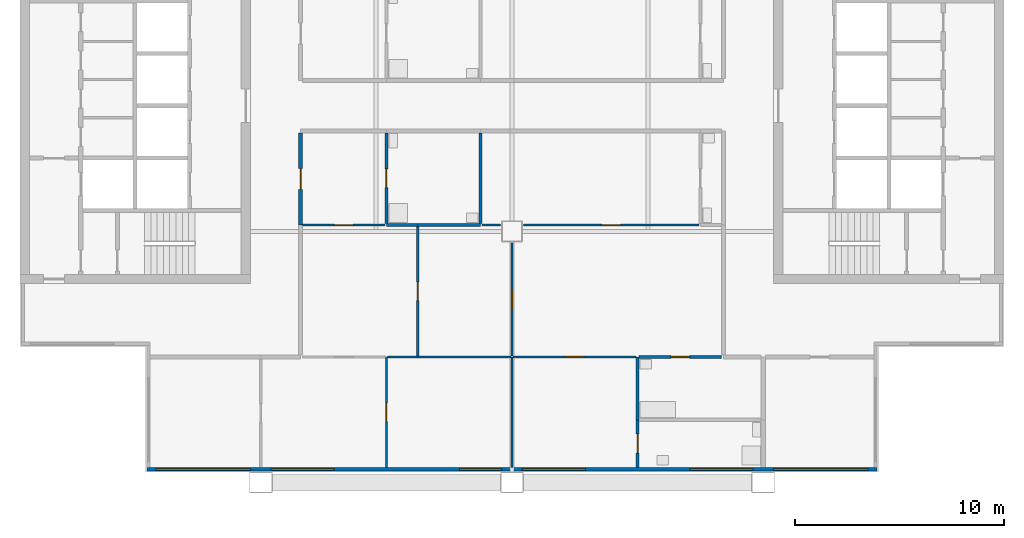
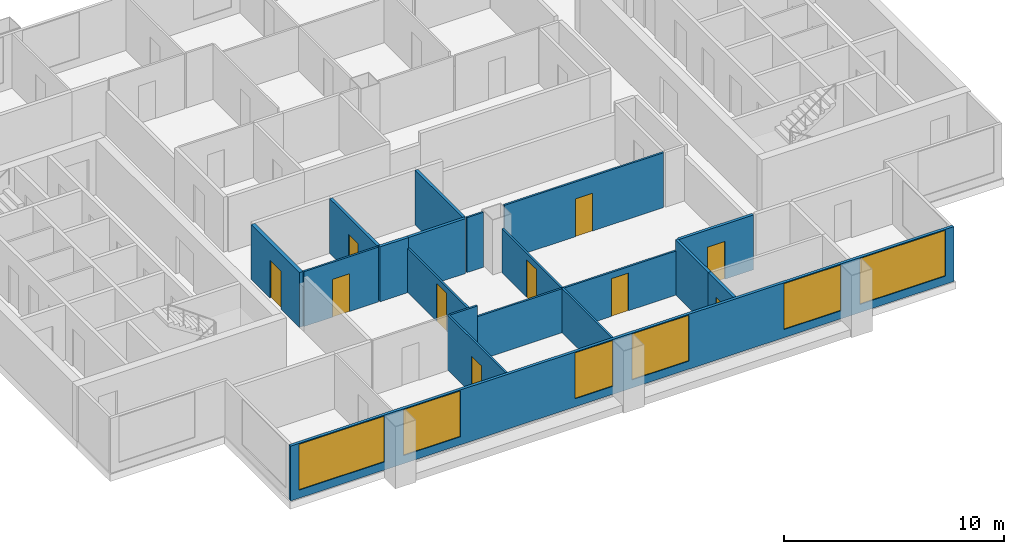
# One storey, part 2 of 8: 19 walls, 10 doors, 6 windows, 16 openings.
"""IFC4 building model written with IfcOpenShell, lengths in metres."""

from ifc_helpers import new_model, si_unit, direction, frame, frame_2d, origin, place, context, subcontext, project, spatial, rectangle, extrude, material, layer, layer_set, type_object, element, fill, save


model = new_model("IFC4")

# Units and contexts
model_context = context("Model", 3, precision=1e-05, world=origin(), true_north=direction((0.0, 1.0)))
body_context = subcontext(model_context, "Body", "Model", "MODEL_VIEW")
ifc_project = project(units=[si_unit("LENGTHUNIT", "METRE"), si_unit("AREAUNIT", "SQUARE_METRE"), si_unit("VOLUMEUNIT", "CUBIC_METRE"), si_unit("PLANEANGLEUNIT", "RADIAN"), si_unit("MASSUNIT", "GRAM", prefix="KILO")], contexts=[model_context])

# Site, building, storey
site_placement = place(None, origin())
site = spatial("IfcSite", under=ifc_project, at=site_placement, CompositionType="ELEMENT")
building_placement = place(site_placement, origin())
building = spatial("IfcBuilding", under=site, at=building_placement, Name="Kitamizu Gate Tower and Museum", CompositionType="ELEMENT")
storey_placement = place(building_placement, frame((0.0, 0.0, 228.300048828125)))
storey = spatial("IfcBuildingStorey", under=building, at=storey_placement, Name="L61", CompositionType="ELEMENT", Elevation=228.300048828125)

# Wall, opening, door
ifc_material_1 = material(Name="Gypsum board on galvanised stud")
ifc_layer_1 = layer(ifc_material_1, 0.10009765625)
ifc_layer_set_1 = layer_set([ifc_layer_1], Name="Gypsum board on galvanised stud")
wall_type_1 = type_object("IfcWallType", Name="Partition 100 NOT RATED", PredefinedType="PARTITIONING", material=ifc_layer_set_1)
wall_1_placement = place(storey_placement, frame((30.0, 12.719970703125, 0.0), z_axis=(0.0, 0.0, 1.0), x_axis=(0.0, 1.0, 0.0)))
wall_1 = element("IfcWall", 1, at=wall_1_placement, inside=storey, type_object=wall_type_1, Name="Partition L61-003", PredefinedType="PARTITIONING", context=body_context, shape_type="SweptSolid", body=[
    extrude(rectangle(XDim=5.280029296875, YDim=0.10009765625, at=frame_2d((2.64013671875, 0.0))), origin(), (0.0, 0.0, 1.0), 3.050048828125),
])
opening_1_placement = place(wall_1_placement, frame((2.18994140625, 0.0, 0.0)))
opening_1 = element("IfcOpeningElement", 2, at=opening_1_placement, cuts=wall_1, Name="Opening L61-007", PredefinedType="OPENING", context=body_context, shape_type="SweptSolid", body=[
    extrude(rectangle(XDim=0.89990234375, YDim=2.10009765625, at=frame_2d((0.449951171875, 1.050048828125))), frame((0.0, 0.06005859375, 0.0), z_axis=(0.0, -1.0, 0.0), x_axis=(1.0, 0.0, 0.0)), (0.0, 0.0, 1.0), 0.1201171875),
])
ifc_material_2 = material(Name="Timber door set", Category="wood")
door_type_1 = type_object("IfcDoorType", Name="Room door 900", OperationType="NOTDEFINED", PredefinedType="DOOR", material=ifc_material_2)
door_1_placement = place(opening_1_placement, origin())
door_1 = element("IfcDoor", 3, at=door_1_placement, inside=storey, type_object=door_type_1, Name="Door L61-007", OperationType="SINGLE_SWING_RIGHT", OverallHeight=2.10009765625, OverallWidth=0.89990234375, PredefinedType="DOOR", context=body_context, shape_type="SweptSolid", body=[
    extrude(rectangle(XDim=0.89990234375, YDim=2.10009765625, at=frame_2d((0.449951171875, 1.050048828125))), frame((0.0, 0.02490234375, 0.0), z_axis=(0.0, -1.0, 0.0), x_axis=(1.0, 0.0, 0.0)), (0.0, 0.0, 1.0), 0.050048828125),
])
fill(opening_1, door_1)

# Walls
wall_2_placement = place(storey_placement, frame((36.0, 12.719970703125, 0.0), z_axis=(0.0, 0.0, 1.0), x_axis=(0.0, 1.0, 0.0)))
element("IfcWall", 4, at=wall_2_placement, inside=storey, type_object=wall_type_1, Name="Partition L61-006", PredefinedType="PARTITIONING", context=body_context, shape_type="SweptSolid", body=[
    extrude(rectangle(XDim=5.280029296875, YDim=0.10009765625, at=frame_2d((2.64013671875, 0.0))), origin(), (0.0, 0.0, 1.0), 2.449951171875),
])
wall_3_placement = place(storey_placement, frame((31.5, 18.0, 0.0), z_axis=(0.0, 0.0, 1.0), x_axis=(-1.0, 0.0, 0.0)))
element("IfcWall", 5, at=wall_3_placement, inside=storey, type_object=wall_type_1, Name="Partition L61-007", PredefinedType="PARTITIONING", context=body_context, shape_type="SweptSolid", body=[
    extrude(rectangle(XDim=1.449951171875, YDim=0.10009765625, at=frame_2d((0.72509765625, 0.0))), origin(), (0.0, 0.0, 1.0), 3.050048828125),
])
wall_4_placement = place(storey_placement, frame((35.949951171875, 18.0, 0.0), z_axis=(0.0, 0.0, 1.0), x_axis=(-1.0, 0.0, 0.0)))
element("IfcWall", 6, at=wall_4_placement, inside=storey, type_object=wall_type_1, Name="Partition L61-008", PredefinedType="PARTITIONING", context=body_context, shape_type="SweptSolid", body=[
    extrude(rectangle(XDim=4.449951171875, YDim=0.10009765625, at=frame_2d((2.22509765625, 0.0))), origin(), (0.0, 0.0, 1.0), 2.449951171875),
])

# Wall, opening, door
wall_5_placement = place(storey_placement, frame((41.925048828125, 18.0, 0.0), z_axis=(0.0, 0.0, 1.0), x_axis=(-1.0, 0.0, 0.0)))
wall_5 = element("IfcWall", 7, at=wall_5_placement, inside=storey, type_object=wall_type_1, Name="Partition L61-011", PredefinedType="PARTITIONING", context=body_context, shape_type="SweptSolid", body=[
    extrude(rectangle(XDim=5.875, YDim=0.10009765625, at=frame_2d((2.9375, 0.0))), origin(), (0.0, 0.0, 1.0), 2.449951171875),
])
opening_2_placement = place(wall_5_placement, frame((2.487548828125, 0.0, 0.0)))
opening_2 = element("IfcOpeningElement", 8, at=opening_2_placement, cuts=wall_5, Name="Opening L61-009", PredefinedType="OPENING", context=body_context, shape_type="SweptSolid", body=[
    extrude(rectangle(XDim=0.89990234375, YDim=2.10009765625, at=frame_2d((0.449951171875, 1.050048828125))), frame((0.0, 0.06005859375, 0.0), z_axis=(0.0, -1.0, 0.0), x_axis=(1.0, 0.0, 0.0)), (0.0, 0.0, 1.0), 0.1201171875),
])
door_2_placement = place(opening_2_placement, origin())
door_2 = element("IfcDoor", 9, at=door_2_placement, inside=storey, type_object=door_type_1, Name="Door L61-009", OperationType="SINGLE_SWING_RIGHT", OverallHeight=2.10009765625, OverallWidth=0.89990234375, PredefinedType="DOOR", context=body_context, shape_type="SweptSolid", body=[
    extrude(rectangle(XDim=0.89990234375, YDim=2.10009765625, at=frame_2d((0.449951171875, 1.050048828125))), frame((0.0, 0.02490234375, 0.0), z_axis=(0.0, -1.0, 0.0), x_axis=(1.0, 0.0, 0.0)), (0.0, 0.0, 1.0), 0.050048828125),
])
fill(opening_2, door_2)

wall_6_placement = place(storey_placement, frame((31.5, 18.050048828125, 0.0), z_axis=(0.0, 0.0, 1.0), x_axis=(0.0, 1.0, 0.0)))
wall_6 = element("IfcWall", 10, at=wall_6_placement, inside=storey, type_object=wall_type_1, Name="Partition L61-017", PredefinedType="PARTITIONING", context=body_context, shape_type="SweptSolid", body=[
    extrude(rectangle(XDim=6.175048828125, YDim=0.10009765625, at=frame_2d((3.08740234375, 0.0))), origin(), (0.0, 0.0, 1.0), 2.449951171875),
])
opening_3_placement = place(wall_6_placement, frame((2.637451171875, 0.0, 0.0)))
opening_3 = element("IfcOpeningElement", 11, at=opening_3_placement, cuts=wall_6, Name="Opening L61-004", PredefinedType="OPENING", context=body_context, shape_type="SweptSolid", body=[
    extrude(rectangle(XDim=0.89990234375, YDim=2.10009765625, at=frame_2d((0.449951171875, 1.050048828125))), frame((0.0, 0.06005859375, 0.0), z_axis=(0.0, -1.0, 0.0), x_axis=(1.0, 0.0, 0.0)), (0.0, 0.0, 1.0), 0.1201171875),
])
door_3_placement = place(opening_3_placement, frame((0.89990234375, 0.0, 0.0), x_axis=(-1.0, 0.0, 0.0)))
door_3 = element("IfcDoor", 12, at=door_3_placement, inside=storey, type_object=door_type_1, Name="Door L61-004", OperationType="SINGLE_SWING_RIGHT", OverallHeight=2.10009765625, OverallWidth=0.89990234375, PredefinedType="DOOR", context=body_context, shape_type="SweptSolid", body=[
    extrude(rectangle(XDim=0.89990234375, YDim=2.10009765625, at=frame_2d((0.449951171875, 1.050048828125))), frame((0.0, 0.02490234375, 0.0), z_axis=(0.0, -1.0, 0.0), x_axis=(1.0, 0.0, 0.0)), (0.0, 0.0, 1.0), 0.050048828125),
])
fill(opening_3, door_3)

wall_7_placement = place(storey_placement, frame((29.925048828125, 24.300048828125, 0.0), z_axis=(0.0, 0.0, 1.0), x_axis=(-1.0, 0.0, 0.0)))
wall_7 = element("IfcWall", 13, at=wall_7_placement, inside=storey, type_object=wall_type_1, Name="Partition L61-018", PredefinedType="PARTITIONING", context=body_context, shape_type="SweptSolid", body=[
    extrude(rectangle(XDim=3.925048828125, YDim=0.10009765625, at=frame_2d((1.96240234375, 0.0))), origin(), (0.0, 0.0, 1.0), 3.050048828125),
])
opening_4_placement = place(wall_7_placement, frame((1.512451171875, 0.0, 0.0)))
opening_4 = element("IfcOpeningElement", 14, at=opening_4_placement, cuts=wall_7, Name="Opening L61-002", PredefinedType="OPENING", context=body_context, shape_type="SweptSolid", body=[
    extrude(rectangle(XDim=0.89990234375, YDim=2.10009765625, at=frame_2d((0.449951171875, 1.050048828125))), frame((0.0, 0.06005859375, 0.0), z_axis=(0.0, -1.0, 0.0), x_axis=(1.0, 0.0, 0.0)), (0.0, 0.0, 1.0), 0.1201171875),
])
door_4_placement = place(opening_4_placement, origin())
door_4 = element("IfcDoor", 15, at=door_4_placement, inside=storey, type_object=door_type_1, Name="Door L61-002", OperationType="SINGLE_SWING_LEFT", OverallHeight=2.10009765625, OverallWidth=0.89990234375, PredefinedType="DOOR", context=body_context, shape_type="SweptSolid", body=[
    extrude(rectangle(XDim=0.89990234375, YDim=2.10009765625, at=frame_2d((0.449951171875, 1.050048828125))), frame((0.0, 0.02490234375, 0.0), z_axis=(0.0, -1.0, 0.0), x_axis=(1.0, 0.0, 0.0)), (0.0, 0.0, 1.0), 0.050048828125),
])
fill(opening_4, door_4)

wall_8_placement = place(storey_placement, frame((36.0, 18.050048828125, 0.0), z_axis=(0.0, 0.0, 1.0), x_axis=(0.0, 1.0, 0.0)))
wall_8 = element("IfcWall", 16, at=wall_8_placement, inside=storey, type_object=wall_type_1, Name="Partition L61-022", PredefinedType="PARTITIONING", context=body_context, shape_type="SweptSolid", body=[
    extrude(rectangle(XDim=5.39990234375, YDim=0.10009765625, at=frame_2d((2.699951171875, 0.0))), origin(), (0.0, 0.0, 1.0), 2.449951171875),
])
opening_5_placement = place(wall_8_placement, frame((2.25, 0.0, 0.0)))
opening_5 = element("IfcOpeningElement", 17, at=opening_5_placement, cuts=wall_8, Name="Opening L61-008", PredefinedType="OPENING", context=body_context, shape_type="SweptSolid", body=[
    extrude(rectangle(XDim=0.89990234375, YDim=2.10009765625, at=frame_2d((0.449951171875, 1.050048828125))), frame((0.0, 0.06005859375, 0.0), z_axis=(0.0, -1.0, 0.0), x_axis=(1.0, 0.0, 0.0)), (0.0, 0.0, 1.0), 0.1201171875),
])
door_5_placement = place(opening_5_placement, origin())
door_5 = element("IfcDoor", 18, at=door_5_placement, inside=storey, type_object=door_type_1, Name="Door L61-008", OperationType="SINGLE_SWING_LEFT", OverallHeight=2.10009765625, OverallWidth=0.89990234375, PredefinedType="DOOR", context=body_context, shape_type="SweptSolid", body=[
    extrude(rectangle(XDim=0.89990234375, YDim=2.10009765625, at=frame_2d((0.449951171875, 1.050048828125))), frame((0.0, 0.02490234375, 0.0), z_axis=(0.0, -1.0, 0.0), x_axis=(1.0, 0.0, 0.0)), (0.0, 0.0, 1.0), 0.050048828125),
])
fill(opening_5, door_5)

# Wall
wall_9_placement = place(storey_placement, frame((35.449951171875, 24.300048828125, 0.0), z_axis=(0.0, 0.0, 1.0), x_axis=(-1.0, 0.0, 0.0)))
element("IfcWall", 19, at=wall_9_placement, inside=storey, type_object=wall_type_1, Name="Partition L61-024", PredefinedType="PARTITIONING", context=body_context, shape_type="SweptSolid", body=[
    extrude(rectangle(XDim=0.875, YDim=0.10009765625, at=frame_2d((0.4375, 0.0))), origin(), (0.0, 0.0, 1.0), 3.050048828125),
])

# Wall, opening, door
wall_10_placement = place(storey_placement, frame((44.925048828125, 24.300048828125, 0.0), z_axis=(0.0, 0.0, 1.0), x_axis=(-1.0, 0.0, 0.0)))
wall_10 = element("IfcWall", 20, at=wall_10_placement, inside=storey, type_object=wall_type_1, Name="Partition L61-025", PredefinedType="PARTITIONING", context=body_context, shape_type="SweptSolid", body=[
    extrude(rectangle(XDim=8.375, YDim=0.10009765625, at=frame_2d((4.1875, 0.0))), origin(), (0.0, 0.0, 1.0), 3.050048828125),
])
opening_6_placement = place(wall_10_placement, frame((3.737548828125, 0.0, 0.0)))
opening_6 = element("IfcOpeningElement", 21, at=opening_6_placement, cuts=wall_10, Name="Opening L61-012", PredefinedType="OPENING", context=body_context, shape_type="SweptSolid", body=[
    extrude(rectangle(XDim=0.89990234375, YDim=2.10009765625, at=frame_2d((0.449951171875, 1.050048828125))), frame((0.0, 0.06005859375, 0.0), z_axis=(0.0, -1.0, 0.0), x_axis=(1.0, 0.0, 0.0)), (0.0, 0.0, 1.0), 0.1201171875),
])
door_6_placement = place(opening_6_placement, frame((0.89990234375, 0.0, 0.0), x_axis=(-1.0, 0.0, 0.0)))
door_6 = element("IfcDoor", 22, at=door_6_placement, inside=storey, type_object=door_type_1, Name="Door L61-012", OperationType="SINGLE_SWING_RIGHT", OverallHeight=2.10009765625, OverallWidth=0.89990234375, PredefinedType="DOOR", context=body_context, shape_type="SweptSolid", body=[
    extrude(rectangle(XDim=0.89990234375, YDim=2.10009765625, at=frame_2d((0.449951171875, 1.050048828125))), frame((0.0, 0.02490234375, 0.0), z_axis=(0.0, -1.0, 0.0), x_axis=(1.0, 0.0, 0.0)), (0.0, 0.0, 1.0), 0.050048828125),
])
fill(opening_6, door_6)

ifc_material_3 = material(Name="Gypsum board on galvanised stud")
ifc_layer_2 = layer(ifc_material_3, 0.14990234375)
ifc_layer_set_2 = layer_set([ifc_layer_2], Name="Gypsum board on galvanised stud")
wall_type_2 = type_object("IfcWallType", Name="Partition 150", PredefinedType="PARTITIONING", material=ifc_layer_set_2)
wall_11_placement = place(storey_placement, frame((42.0, 12.719970703125, 0.0), z_axis=(0.0, 0.0, 1.0), x_axis=(0.0, 1.0, 0.0)))
wall_11 = element("IfcWall", 23, at=wall_11_placement, inside=storey, type_object=wall_type_2, Name="Partition L61-009", PredefinedType="PARTITIONING", context=body_context, shape_type="SweptSolid", body=[
    extrude(rectangle(XDim=2.280029296875, YDim=0.14990234375, at=frame_2d((1.14013671875, 0.0))), origin(), (0.0, 0.0, 1.0), 3.050048828125),
])
opening_7_placement = place(wall_11_placement, frame((0.68994140625, 0.0, 0.0)))
opening_7 = element("IfcOpeningElement", 24, at=opening_7_placement, cuts=wall_11, Name="Opening L61-010", PredefinedType="OPENING", context=body_context, shape_type="SweptSolid", body=[
    extrude(rectangle(XDim=0.89990234375, YDim=2.10009765625, at=frame_2d((0.449951171875, 1.050048828125))), frame((0.0, 0.0849609375, 0.0), z_axis=(0.0, -1.0, 0.0), x_axis=(1.0, 0.0, 0.0)), (0.0, 0.0, 1.0), 0.169921875),
])
ifc_material_4 = material(Name="Timber door set", Category="wood")
door_type_2 = type_object("IfcDoorType", Name="Bathroom door 900", OperationType="NOTDEFINED", PredefinedType="DOOR", material=ifc_material_4)
door_7_placement = place(opening_7_placement, frame((0.89990234375, 0.0, 0.0), x_axis=(-1.0, 0.0, 0.0)))
door_7 = element("IfcDoor", 25, at=door_7_placement, inside=storey, type_object=door_type_2, Name="Bathroom door L61-010", OperationType="SINGLE_SWING_RIGHT", OverallHeight=2.10009765625, OverallWidth=0.89990234375, PredefinedType="DOOR", context=body_context, shape_type="SweptSolid", body=[
    extrude(rectangle(XDim=0.89990234375, YDim=2.10009765625, at=frame_2d((0.449951171875, 1.050048828125))), frame((0.0, 0.02490234375, 0.0), z_axis=(0.0, -1.0, 0.0), x_axis=(1.0, 0.0, 0.0)), (0.0, 0.0, 1.0), 0.050048828125),
])
fill(opening_7, door_7)

# Wall
wall_12_placement = place(storey_placement, frame((42.0, 15.0, 0.0), z_axis=(0.0, 0.0, 1.0), x_axis=(0.0, 1.0, 0.0)))
element("IfcWall", 26, at=wall_12_placement, inside=storey, type_object=wall_type_2, Name="Partition L61-010", PredefinedType="PARTITIONING", context=body_context, shape_type="SweptSolid", body=[
    extrude(rectangle(XDim=3.0, YDim=0.14990234375, at=frame_2d((1.5, 0.0))), origin(), (0.0, 0.0, 1.0), 3.050048828125),
])

# Wall, opening, door
wall_13_placement = place(storey_placement, frame((46.0, 18.0, 0.0), z_axis=(0.0, 0.0, 1.0), x_axis=(-1.0, 0.0, 0.0)))
wall_13 = element("IfcWall", 27, at=wall_13_placement, inside=storey, type_object=wall_type_2, Name="Partition L61-014", PredefinedType="PARTITIONING", context=body_context, shape_type="SweptSolid", body=[
    extrude(rectangle(XDim=3.925048828125, YDim=0.14990234375, at=frame_2d((1.96240234375, 0.0))), origin(), (0.0, 0.0, 1.0), 3.050048828125),
])
opening_8_placement = place(wall_13_placement, frame((1.512451171875, 0.0, 0.0)))
opening_8 = element("IfcOpeningElement", 28, at=opening_8_placement, cuts=wall_13, Name="Opening L61-011", PredefinedType="OPENING", context=body_context, shape_type="SweptSolid", body=[
    extrude(rectangle(XDim=0.89990234375, YDim=2.10009765625, at=frame_2d((0.449951171875, 1.050048828125))), frame((0.0, 0.0849609375, 0.0), z_axis=(0.0, -1.0, 0.0), x_axis=(1.0, 0.0, 0.0)), (0.0, 0.0, 1.0), 0.169921875),
])
door_8_placement = place(opening_8_placement, origin())
door_8 = element("IfcDoor", 29, at=door_8_placement, inside=storey, type_object=door_type_2, Name="Bathroom door L61-011", OperationType="SINGLE_SWING_RIGHT", OverallHeight=2.10009765625, OverallWidth=0.89990234375, PredefinedType="DOOR", context=body_context, shape_type="SweptSolid", body=[
    extrude(rectangle(XDim=0.89990234375, YDim=2.10009765625, at=frame_2d((0.449951171875, 1.050048828125))), frame((0.0, 0.02490234375, 0.0), z_axis=(0.0, -1.0, 0.0), x_axis=(1.0, 0.0, 0.0)), (0.0, 0.0, 1.0), 0.050048828125),
])
fill(opening_8, door_8)

# Walls
wall_14_placement = place(storey_placement, frame((31.5, 24.300048828125, 0.0), z_axis=(0.0, 0.0, 1.0), x_axis=(-1.0, 0.0, 0.0)))
element("IfcWall", 30, at=wall_14_placement, inside=storey, type_object=wall_type_2, Name="Partition L61-019", PredefinedType="PARTITIONING", context=body_context, shape_type="SweptSolid", body=[
    extrude(rectangle(XDim=1.5, YDim=0.14990234375, at=frame_2d((0.75, 0.0))), origin(), (0.0, 0.0, 1.0), 3.050048828125),
])
wall_15_placement = place(storey_placement, frame((34.5, 24.300048828125, 0.0), z_axis=(0.0, 0.0, 1.0), x_axis=(-1.0, 0.0, 0.0)))
element("IfcWall", 31, at=wall_15_placement, inside=storey, type_object=wall_type_2, Name="Partition L61-023", PredefinedType="PARTITIONING", context=body_context, shape_type="SweptSolid", body=[
    extrude(rectangle(XDim=3.0, YDim=0.14990234375, at=frame_2d((1.5, 0.0))), origin(), (0.0, 0.0, 1.0), 3.050048828125),
])

# Wall, opening, door
wall_16_placement = place(storey_placement, frame((30.0, 24.375, 0.0), z_axis=(0.0, 0.0, 1.0), x_axis=(0.0, 1.0, 0.0)))
wall_16 = element("IfcWall", 32, at=wall_16_placement, inside=storey, type_object=wall_type_2, Name="Partition L61-028", PredefinedType="PARTITIONING", context=body_context, shape_type="SweptSolid", body=[
    extrude(rectangle(XDim=4.324951171875, YDim=0.14990234375, at=frame_2d((2.16259765625, 0.0))), origin(), (0.0, 0.0, 1.0), 3.050048828125),
])
opening_9_placement = place(wall_16_placement, frame((1.71240234375, 0.0, 0.0)))
opening_9 = element("IfcOpeningElement", 33, at=opening_9_placement, cuts=wall_16, Name="Opening L61-005", PredefinedType="OPENING", context=body_context, shape_type="SweptSolid", body=[
    extrude(rectangle(XDim=0.89990234375, YDim=2.10009765625, at=frame_2d((0.449951171875, 1.050048828125))), frame((0.0, 0.0849609375, 0.0), z_axis=(0.0, -1.0, 0.0), x_axis=(1.0, 0.0, 0.0)), (0.0, 0.0, 1.0), 0.169921875),
])
door_9_placement = place(opening_9_placement, frame((0.89990234375, 0.0, 0.0), x_axis=(-1.0, 0.0, 0.0)))
door_9 = element("IfcDoor", 34, at=door_9_placement, inside=storey, type_object=door_type_2, Name="Bathroom door L61-005", OperationType="SINGLE_SWING_LEFT", OverallHeight=2.10009765625, OverallWidth=0.89990234375, PredefinedType="DOOR", context=body_context, shape_type="SweptSolid", body=[
    extrude(rectangle(XDim=0.89990234375, YDim=2.10009765625, at=frame_2d((0.449951171875, 1.050048828125))), frame((0.0, 0.02490234375, 0.0), z_axis=(0.0, -1.0, 0.0), x_axis=(1.0, 0.0, 0.0)), (0.0, 0.0, 1.0), 0.050048828125),
])
fill(opening_9, door_9)

# Wall
wall_17_placement = place(storey_placement, frame((34.5, 24.375, 0.0), z_axis=(0.0, 0.0, 1.0), x_axis=(0.0, 1.0, 0.0)))
element("IfcWall", 35, at=wall_17_placement, inside=storey, type_object=wall_type_2, Name="Partition L61-031", PredefinedType="PARTITIONING", context=body_context, shape_type="SweptSolid", body=[
    extrude(rectangle(XDim=4.324951171875, YDim=0.14990234375, at=frame_2d((2.16259765625, 0.0))), origin(), (0.0, 0.0, 1.0), 3.050048828125),
])

# Wall, opening, door
ifc_material_5 = material(Name="Gypsum board on galvanised stud")
ifc_layer_3 = layer(ifc_material_5, 0.199951171875)
ifc_layer_set_3 = layer_set([ifc_layer_3], Name="Gypsum board on galvanised stud")
wall_type_3 = type_object("IfcWallType", Name="Partition 200", PredefinedType="PARTITIONING", material=ifc_layer_set_3)
wall_18_placement = place(storey_placement, frame((25.89990234375, 28.699951171875, 0.0), z_axis=(0.0, 0.0, 1.0), x_axis=(0.0, -1.0, 0.0)))
wall_18 = element("IfcWall", 36, at=wall_18_placement, inside=storey, type_object=wall_type_3, Name="Partition L61-030", PredefinedType="PARTITIONING", context=body_context, shape_type="SweptSolid", body=[
    extrude(rectangle(XDim=4.39990234375, YDim=0.199951171875, at=frame_2d((2.199951171875, 0.0))), origin(), (0.0, 0.0, 1.0), 3.050048828125),
])
opening_10_placement = place(wall_18_placement, frame((1.699951171875, 0.0, 0.0)))
opening_10 = element("IfcOpeningElement", 37, at=opening_10_placement, cuts=wall_18, Name="Opening L61-001", PredefinedType="OPENING", context=body_context, shape_type="SweptSolid", body=[
    extrude(rectangle(XDim=1.0, YDim=2.10009765625, at=frame_2d((0.5, 1.050048828125))), frame((0.0, 0.10986328125, 0.0), z_axis=(0.0, -1.0, 0.0), x_axis=(1.0, 0.0, 0.0)), (0.0, 0.0, 1.0), 0.219970703125),
])
ifc_material_6 = material(Name="Timber door set", Category="wood")
door_type_3 = type_object("IfcDoorType", Name="Flat entrance door 1000", OperationType="NOTDEFINED", PredefinedType="DOOR", material=ifc_material_6)
door_10_placement = place(opening_10_placement, origin())
door_10 = element("IfcDoor", 38, at=door_10_placement, inside=storey, type_object=door_type_3, Name="Flat entrance door L61-001", OperationType="SINGLE_SWING_RIGHT", OverallHeight=2.10009765625, OverallWidth=1.0, PredefinedType="DOOR", context=body_context, shape_type="SweptSolid", body=[
    extrude(rectangle(XDim=1.0, YDim=2.10009765625, at=frame_2d((0.5, 1.050048828125))), frame((0.0, 0.02490234375, 0.0), z_axis=(0.0, -1.0, 0.0), x_axis=(1.0, 0.0, 0.0)), (0.0, 0.0, 1.0), 0.050048828125),
])
fill(opening_10, door_10)

# Wall, openings, windows
ifc_material_7 = material(Name="Bronze anodised aluminium frame with insulated spandrel and tinted glass", Category="aluminium")
ifc_layer_4 = layer(ifc_material_7, 0.14990234375)
ifc_layer_set_4 = layer_set([ifc_layer_4], Name="Bronze anodised aluminium frame with insulated spandrel and tinted glass")
wall_type_4 = type_object("IfcWallType", Name="WINDOW WALL 150 BRONZE FRAME EI 30", PredefinedType="ELEMENTEDWALL", material=ifc_layer_set_4)
wall_19_placement = place(storey_placement, frame((18.56005859375, 12.635009765625, 0.0), z_axis=(0.0, 0.0, 1.0), x_axis=(1.0, 0.0, 0.0)))
wall_19 = element("IfcWall", 39, at=wall_19_placement, inside=storey, type_object=wall_type_4, Name="Window wall south L61", PredefinedType="ELEMENTEDWALL", context=body_context, shape_type="SweptSolid", body=[
    extrude(rectangle(XDim=34.8798828125, YDim=0.14990234375, at=frame_2d((17.43994140625, 0.0))), origin(), (0.0, 0.0, 1.0), 3.050048828125),
])
opening_11_placement = place(wall_19_placement, frame((0.43994140625, 0.0, 0.449951171875)))
opening_11 = element("IfcOpeningElement", 40, at=opening_11_placement, cuts=wall_19, Name="Opening W15", PredefinedType="OPENING", context=body_context, shape_type="SweptSolid", body=[
    extrude(rectangle(XDim=4.5, YDim=2.550048828125, at=frame_2d((2.25, 1.27490234375))), frame((0.0, 0.0849609375, 0.0), z_axis=(0.0, -1.0, 0.0), x_axis=(1.0, 0.0, 0.0)), (0.0, 0.0, 1.0), 0.169921875),
])
opening_12_placement = place(wall_19_placement, frame((5.93994140625, 0.0, 0.449951171875)))
opening_12 = element("IfcOpeningElement", 41, at=opening_12_placement, cuts=wall_19, Name="Opening W33", PredefinedType="OPENING", context=body_context, shape_type="SweptSolid", body=[
    extrude(rectangle(XDim=3.0, YDim=2.550048828125, at=frame_2d((1.5, 1.27490234375))), frame((0.0, 0.0849609375, 0.0), z_axis=(0.0, -1.0, 0.0), x_axis=(1.0, 0.0, 0.0)), (0.0, 0.0, 1.0), 0.169921875),
])
opening_13_placement = place(wall_19_placement, frame((14.93994140625, 0.0, 0.449951171875)))
opening_13 = element("IfcOpeningElement", 42, at=opening_13_placement, cuts=wall_19, Name="Opening W2", PredefinedType="OPENING", context=body_context, shape_type="SweptSolid", body=[
    extrude(rectangle(XDim=2.0, YDim=2.550048828125, at=frame_2d((1.0, 1.27490234375))), frame((0.0, 0.0849609375, 0.0), z_axis=(0.0, -1.0, 0.0), x_axis=(1.0, 0.0, 0.0)), (0.0, 0.0, 1.0), 0.169921875),
])
opening_14_placement = place(wall_19_placement, frame((17.93994140625, 0.0, 0.449951171875)))
opening_14 = element("IfcOpeningElement", 43, at=opening_14_placement, cuts=wall_19, Name="Opening W33", PredefinedType="OPENING", context=body_context, shape_type="SweptSolid", body=[
    extrude(rectangle(XDim=3.0, YDim=2.550048828125, at=frame_2d((1.5, 1.27490234375))), frame((0.0, 0.0849609375, 0.0), z_axis=(0.0, -1.0, 0.0), x_axis=(1.0, 0.0, 0.0)), (0.0, 0.0, 1.0), 0.169921875),
])
opening_15_placement = place(wall_19_placement, frame((25.93994140625, 0.0, 0.449951171875)))
opening_15 = element("IfcOpeningElement", 44, at=opening_15_placement, cuts=wall_19, Name="Opening W33", PredefinedType="OPENING", context=body_context, shape_type="SweptSolid", body=[
    extrude(rectangle(XDim=3.0, YDim=2.550048828125, at=frame_2d((1.5, 1.27490234375))), frame((0.0, 0.0849609375, 0.0), z_axis=(0.0, -1.0, 0.0), x_axis=(1.0, 0.0, 0.0)), (0.0, 0.0, 1.0), 0.169921875),
])
opening_16_placement = place(wall_19_placement, frame((29.93994140625, 0.0, 0.449951171875)))
opening_16 = element("IfcOpeningElement", 45, at=opening_16_placement, cuts=wall_19, Name="Opening W15", PredefinedType="OPENING", context=body_context, shape_type="SweptSolid", body=[
    extrude(rectangle(XDim=4.5, YDim=2.550048828125, at=frame_2d((2.25, 1.27490234375))), frame((0.0, 0.0849609375, 0.0), z_axis=(0.0, -1.0, 0.0), x_axis=(1.0, 0.0, 0.0)), (0.0, 0.0, 1.0), 0.169921875),
])
ifc_material_8 = material(Name="Bronze anodised aluminium frame, tinted triple glazing", Category="aluminium")
window_type_1 = type_object("IfcWindowType", Name="WINDOW 2000 x 2550 SILL 450", PartitioningType="SINGLE_PANEL", PredefinedType="WINDOW", material=ifc_material_8)
window_1_placement = place(opening_13_placement, origin())
window_1 = element("IfcWindow", 46, at=window_1_placement, inside=storey, type_object=window_type_1, Name="Window W2 L61", OverallHeight=2.550048828125, OverallWidth=2.0, PartitioningType="SINGLE_PANEL", PredefinedType="WINDOW", context=body_context, shape_type="SweptSolid", body=[
    extrude(rectangle(XDim=2.0, YDim=2.550048828125, at=frame_2d((1.0, 1.27490234375))), frame((0.0, 0.030029296875, 0.0), z_axis=(0.0, -1.0, 0.0), x_axis=(1.0, 0.0, 0.0)), (0.0, 0.0, 1.0), 0.06005859375),
])
fill(opening_13, window_1)
ifc_material_9 = material(Name="Bronze anodised aluminium frame, tinted triple glazing", Category="aluminium")
window_type_2 = type_object("IfcWindowType", Name="WINDOW 3000 x 2550 SILL 450", PartitioningType="SINGLE_PANEL", PredefinedType="WINDOW", material=ifc_material_9)
window_2_placement = place(opening_12_placement, origin())
window_2 = element("IfcWindow", 47, at=window_2_placement, inside=storey, type_object=window_type_2, Name="Window W33 L61", OverallHeight=2.550048828125, OverallWidth=3.0, PartitioningType="SINGLE_PANEL", PredefinedType="WINDOW", context=body_context, shape_type="SweptSolid", body=[
    extrude(rectangle(XDim=3.0, YDim=2.550048828125, at=frame_2d((1.5, 1.27490234375))), frame((0.0, 0.030029296875, 0.0), z_axis=(0.0, -1.0, 0.0), x_axis=(1.0, 0.0, 0.0)), (0.0, 0.0, 1.0), 0.06005859375),
])
fill(opening_12, window_2)
window_3_placement = place(opening_14_placement, origin())
window_3 = element("IfcWindow", 48, at=window_3_placement, inside=storey, type_object=window_type_2, Name="Window W33 L61", OverallHeight=2.550048828125, OverallWidth=3.0, PartitioningType="SINGLE_PANEL", PredefinedType="WINDOW", context=body_context, shape_type="SweptSolid", body=[
    extrude(rectangle(XDim=3.0, YDim=2.550048828125, at=frame_2d((1.5, 1.27490234375))), frame((0.0, 0.030029296875, 0.0), z_axis=(0.0, -1.0, 0.0), x_axis=(1.0, 0.0, 0.0)), (0.0, 0.0, 1.0), 0.06005859375),
])
fill(opening_14, window_3)
window_4_placement = place(opening_15_placement, origin())
window_4 = element("IfcWindow", 49, at=window_4_placement, inside=storey, type_object=window_type_2, Name="Window W33 L61", OverallHeight=2.550048828125, OverallWidth=3.0, PartitioningType="SINGLE_PANEL", PredefinedType="WINDOW", context=body_context, shape_type="SweptSolid", body=[
    extrude(rectangle(XDim=3.0, YDim=2.550048828125, at=frame_2d((1.5, 1.27490234375))), frame((0.0, 0.030029296875, 0.0), z_axis=(0.0, -1.0, 0.0), x_axis=(1.0, 0.0, 0.0)), (0.0, 0.0, 1.0), 0.06005859375),
])
fill(opening_15, window_4)
ifc_material_10 = material(Name="Bronze anodised aluminium frame, tinted triple glazing", Category="aluminium")
window_type_3 = type_object("IfcWindowType", Name="WINDOW 4500 x 2550 SILL 450", PartitioningType="SINGLE_PANEL", PredefinedType="WINDOW", material=ifc_material_10)
window_5_placement = place(opening_11_placement, origin())
window_5 = element("IfcWindow", 50, at=window_5_placement, inside=storey, type_object=window_type_3, Name="Window W15 L61", OverallHeight=2.550048828125, OverallWidth=4.5, PartitioningType="SINGLE_PANEL", PredefinedType="WINDOW", context=body_context, shape_type="SweptSolid", body=[
    extrude(rectangle(XDim=4.5, YDim=2.550048828125, at=frame_2d((2.25, 1.27490234375))), frame((0.0, 0.030029296875, 0.0), z_axis=(0.0, -1.0, 0.0), x_axis=(1.0, 0.0, 0.0)), (0.0, 0.0, 1.0), 0.06005859375),
])
fill(opening_11, window_5)
window_6_placement = place(opening_16_placement, origin())
window_6 = element("IfcWindow", 51, at=window_6_placement, inside=storey, type_object=window_type_3, Name="Window W15 L61", OverallHeight=2.550048828125, OverallWidth=4.5, PartitioningType="SINGLE_PANEL", PredefinedType="WINDOW", context=body_context, shape_type="SweptSolid", body=[
    extrude(rectangle(XDim=4.5, YDim=2.550048828125, at=frame_2d((2.25, 1.27490234375))), frame((0.0, 0.030029296875, 0.0), z_axis=(0.0, -1.0, 0.0), x_axis=(1.0, 0.0, 0.0)), (0.0, 0.0, 1.0), 0.06005859375),
])
fill(opening_16, window_6)

save(model, "model.ifc")
